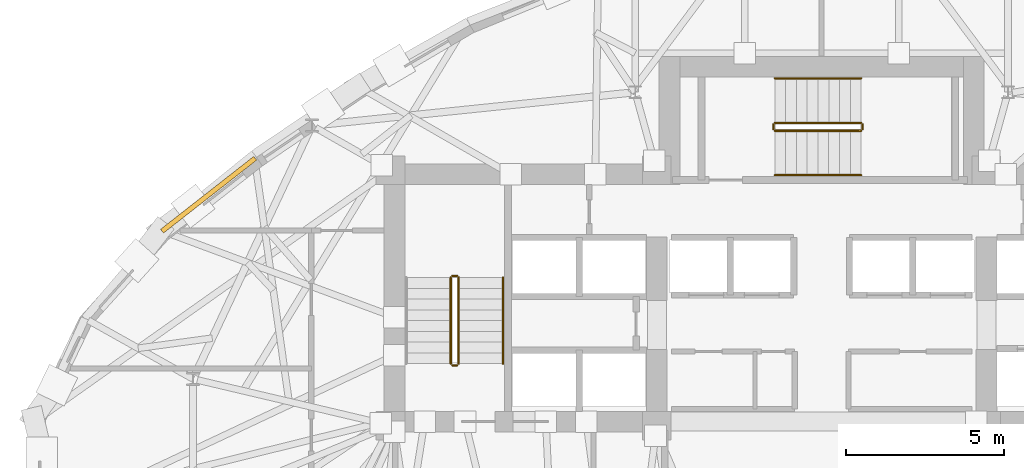
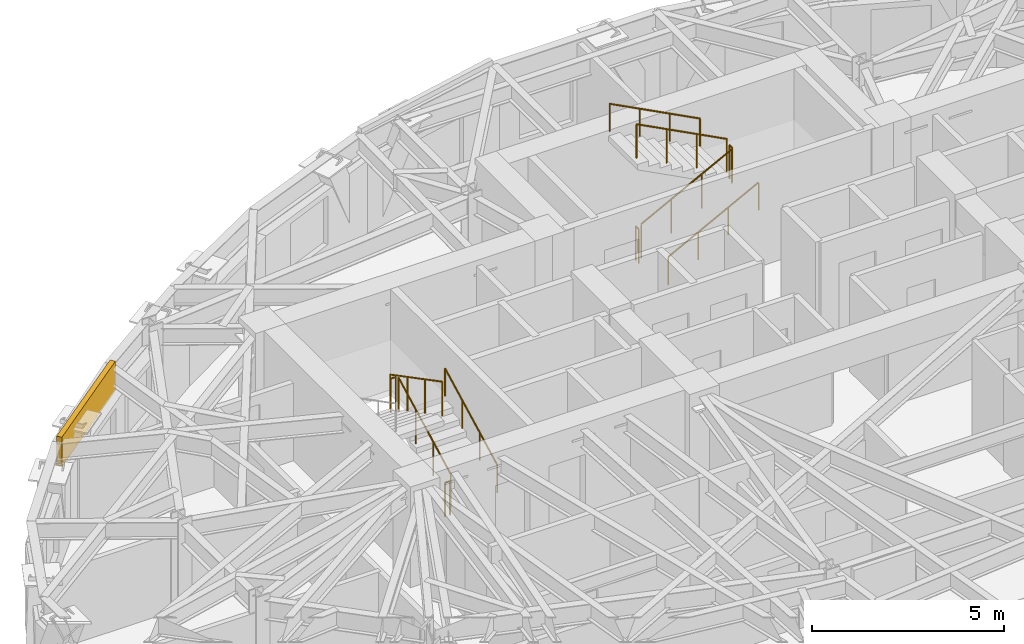
# One storey, part 12 of 14: 11 railings, 1 covering.
"""IFC4 building model written with IfcOpenShell, lengths in metres."""

import ifcopenshell
import ifcopenshell.guid

model = None  # the IFC model being written
_history = None  # IfcOwnerHistory: only IFC2X3 demands one
_inside = {}  # id of a spatial element -> (the spatial element, [elements in it])
_under = {}  # id of a project, library or spatial element -> (it, [spatial elements below it])
_declared = {}  # id of a project -> (the project, [libraries it declares])
_typed = {}  # id of a type object -> (the type object, [elements of that type])
_made_of = {}  # id of a material, layer set ... -> (it, [elements and type objects made of it])


def new_model(schema):
    """Start an empty IFC model of exactly this schema.

    Asked for "IFC4X3", IfcOpenShell would pick the latest addendum, in which some entities
    have other attributes; the version numbers below select the first issue.
    IFC2X3 requires an IfcOwnerHistory on every rooted entity: one is made here for all.
    """
    global model, _history
    if schema == "IFC4X3":
        model = ifcopenshell.file(schema_version=(4, 3, 0, 0))
    else:
        model = ifcopenshell.file(schema=schema)
    _inside.clear()
    _under.clear()
    _declared.clear()
    _typed.clear()
    _made_of.clear()
    _history = None
    if model.schema == "IFC2X3":
        org = make("IfcOrganization", Name="unknown")
        user = make(
            "IfcPersonAndOrganization",
            ThePerson=make("IfcPerson", FamilyName="unknown"),
            TheOrganization=org,
        )
        app = make(
            "IfcApplication",
            ApplicationDeveloper=org,
            Version="unknown",
            ApplicationFullName="unknown",
            ApplicationIdentifier="unknown",
        )
        _history = make(
            "IfcOwnerHistory",
            OwningUser=user,
            OwningApplication=app,
            ChangeAction="ADDED",
            CreationDate=0,
        )
    return model


def make(cls, **values):
    """One entity of the class cls with the attributes given. An attribute that is None is left unset."""
    return model.create_entity(
        cls, **{name: value for name, value in values.items() if value is not None}
    )


def rooted(cls, **values):
    """An entity with a GlobalId (a new one), such as an element, a storey or a relation."""
    return make(cls, GlobalId=ifcopenshell.guid.new(), OwnerHistory=_history, **values)


def si_unit(unit_type, name, prefix=None):
    """IfcSIUnit, for example si_unit("LENGTHUNIT", "METRE", prefix="MILLI")."""
    return make("IfcSIUnit", UnitType=unit_type, Prefix=prefix, Name=name)


def assignment(units):
    """IfcUnitAssignment: the units of a project."""
    return None if units is None else make("IfcUnitAssignment", Units=units)


def point(xyz):
    """IfcCartesianPoint."""
    return None if xyz is None else make("IfcCartesianPoint", Coordinates=xyz)


def direction(xyz):
    """IfcDirection."""
    return None if xyz is None else make("IfcDirection", DirectionRatios=xyz)


def frame(location, z_axis=None, x_axis=None):
    """IfcAxis2Placement3D, a coordinate frame: its origin and axes. An axis left out is left unset."""
    return make(
        "IfcAxis2Placement3D",
        Location=point(location),
        Axis=direction(z_axis),
        RefDirection=direction(x_axis),
    )


def frame_2d(location, x_axis=None):
    """IfcAxis2Placement2D, a coordinate frame in the plane: its origin and x axis."""
    return make(
        "IfcAxis2Placement2D", Location=point(location), RefDirection=direction(x_axis)
    )


def origin():
    """The frame at (0, 0, 0) with its axes left unset."""
    return frame((0.0, 0.0, 0.0))


def origin_2d():
    """The frame at (0, 0) in the plane with its x axis left unset."""
    return frame_2d((0.0, 0.0))


def place(relative_to, where):
    """IfcLocalPlacement: puts the frame where relative to a parent placement (None: the world)."""
    return make(
        "IfcLocalPlacement", PlacementRelTo=relative_to, RelativePlacement=where
    )


def context(
    kind, dimensions, precision=None, world=None, true_north=None, identifier=None
):
    """IfcGeometricRepresentationContext, for example the 3D "Model" context."""
    return make(
        "IfcGeometricRepresentationContext",
        ContextIdentifier=identifier,
        ContextType=kind,
        CoordinateSpaceDimension=dimensions,
        Precision=precision,
        WorldCoordinateSystem=world,
        TrueNorth=true_north,
    )


def subcontext(parent, identifier, kind, view, scale=None):
    """IfcGeometricRepresentationSubContext, for example "Body" below "Model"."""
    return make(
        "IfcGeometricRepresentationSubContext",
        ContextIdentifier=identifier,
        ContextType=kind,
        ParentContext=parent,
        TargetScale=scale,
        TargetView=view,
    )


def project(units=None, contexts=None):
    """IfcProject with its units and contexts."""
    return rooted(
        "IfcProject",
        Name="project",
        RepresentationContexts=contexts,
        UnitsInContext=assignment(units),
    )


def spatial(cls, under=None, at=None, **own):
    """A site, building, storey or space (cls), placed at a placement, below another one or the project."""
    s = rooted(cls, ObjectPlacement=at, **own)
    if under is not None:
        _under.setdefault(under.id(), (under, []))[1].append(s)
    return s


def profile(cls, at=None, kind="AREA", **sizes):
    """A parametric profile (cls). Its sizes go by their IFC names, for example OverallWidth=200.0."""
    return make(cls, ProfileType=kind, Position=at, **sizes)


def rectangle(**sizes):
    """IfcRectangleProfileDef."""
    return profile("IfcRectangleProfileDef", **sizes)


def circle(**sizes):
    """IfcCircleProfileDef."""
    return profile("IfcCircleProfileDef", **sizes)


def extrude(swept, where, along, depth):
    """IfcExtrudedAreaSolid: the profile swept, set in the frame where, extruded along a direction by depth."""
    return make(
        "IfcExtrudedAreaSolid",
        SweptArea=swept,
        Position=where,
        ExtrudedDirection=direction(along),
        Depth=depth,
    )


def shape(context_of_items, identifier, shape_type, items):
    """IfcShapeRepresentation: the items that make up one representation, for example the "Body"."""
    return make(
        "IfcShapeRepresentation",
        ContextOfItems=context_of_items,
        RepresentationIdentifier=identifier,
        RepresentationType=shape_type,
        Items=items,
    )


def material(Name=None, Category=None):
    """IfcMaterial."""
    return make("IfcMaterial", Name=Name, Category=Category)


def layer(
    of_material, thickness, ventilated=None, Name=None, Category=None, Priority=None
):
    """IfcMaterialLayer: one layer of a wall or slab, of a material (None: an air gap)."""
    return make(
        "IfcMaterialLayer",
        Material=of_material,
        LayerThickness=thickness,
        IsVentilated=ventilated,
        Name=Name,
        Category=Category,
        Priority=Priority,
    )


def layer_set(layers, Name=None):
    """IfcMaterialLayerSet."""
    return make("IfcMaterialLayerSet", MaterialLayers=layers, LayerSetName=Name)


def made_of(thing, what):
    """Note that an element or type object is made of a material, layer set ...; save() writes the relation."""
    if what is not None:
        _made_of.setdefault(what.id(), (what, []))[1].append(thing)
    return thing


def type_object(cls, material=None, **own):
    """A type object (cls), such as IfcWallType, which elements share."""
    return made_of(rooted(cls, **own), material)


def element(
    cls,
    number,
    at=None,
    inside=None,
    cuts=None,
    type_object=None,
    material=None,
    context=None,
    identifier="Body",
    shape_type=None,
    held_by="IfcProductDefinitionShape",
    body=None,
    shapes=None,
    **own,
):
    """One element of the class cls, such as IfcWall. Its Tag is "e" and its number.

    at: its placement. inside: the storey or other place that contains it. cuts: it is an
    opening in that element (IfcRelVoidsElement). A single representation is given by context,
    identifier, shape_type and body (its items); several are given by shapes. held_by: the class
    of the entity that holds the representations. save() writes the other relations.
    """
    e = rooted(cls, Tag="e%d" % number, ObjectPlacement=at, **own)
    if body is not None:
        shapes = [shape(context, identifier, shape_type, body)]
    if shapes is not None:
        e.Representation = make(held_by, Representations=shapes)
    if inside is not None:
        _inside.setdefault(inside.id(), (inside, []))[1].append(e)
    if cuts is not None:
        rooted(
            "IfcRelVoidsElement", RelatingBuildingElement=cuts, RelatedOpeningElement=e
        )
    if type_object is not None:
        _typed.setdefault(type_object.id(), (type_object, []))[1].append(e)
    return made_of(e, material)


def aggregate(whole, parts):
    """IfcRelAggregates: a whole, such as a stair, and the parts it consists of."""
    return rooted("IfcRelAggregates", RelatingObject=whole, RelatedObjects=parts)


def save(model, path):
    """Write the relations noted so far, then the file.

    IfcRelAggregates (storeys below a building ...), IfcRelContainedInSpatialStructure (elements
    in a storey), IfcRelDefinesByType, IfcRelAssociatesMaterial and IfcRelDeclares: one each for
    every whole, place, type object, material and project.
    """
    for whole, parts in _under.values():
        aggregate(whole, parts)
    for where, things in _inside.values():
        rooted(
            "IfcRelContainedInSpatialStructure",
            RelatedElements=things,
            RelatingStructure=where,
        )
    for kind, things in _typed.values():
        rooted("IfcRelDefinesByType", RelatedObjects=things, RelatingType=kind)
    for what, things in _made_of.values():
        rooted("IfcRelAssociatesMaterial", RelatedObjects=things, RelatingMaterial=what)
    for by, libraries in _declared.values():
        rooted("IfcRelDeclares", RelatingContext=by, RelatedDefinitions=libraries)
    model.write(path)


model = new_model("IFC4")

# Units and contexts
model_context = context("Model", 3, precision=1e-05, world=origin(), true_north=direction((0.0, 1.0)))
body_context = subcontext(model_context, "Body", "Model", "MODEL_VIEW")
ifc_project = project(units=[si_unit("LENGTHUNIT", "METRE"), si_unit("AREAUNIT", "SQUARE_METRE"), si_unit("VOLUMEUNIT", "CUBIC_METRE"), si_unit("PLANEANGLEUNIT", "RADIAN"), si_unit("MASSUNIT", "GRAM", prefix="KILO")], contexts=[model_context])

# Site, building, storey
site_placement = place(None, origin())
site = spatial("IfcSite", under=ifc_project, at=site_placement, CompositionType="ELEMENT")
building_placement = place(site_placement, origin())
building = spatial("IfcBuilding", under=site, at=building_placement, Name="Keldmark Tower", CompositionType="ELEMENT")
storey_placement = place(building_placement, frame((0.0, 0.0, 185.39990234375)))
storey = spatial("IfcBuildingStorey", under=building, at=storey_placement, Name="L51", CompositionType="ELEMENT", Elevation=185.39990234375)

# Covering
ifc_material_1 = material(Name="Honed Kasota Buff Dolomitic Limestone", Category="masonry")
ifc_layer = layer(ifc_material_1, 0.074951171875)
ifc_layer_set = layer_set([ifc_layer], Name="Honed Kasota Buff Dolomitic Limestone")
covering_type = type_object("IfcCoveringType", Name="Kasota Buff Limestone Spandrel Cladding Band", PredefinedType="CLADDING", material=ifc_layer_set)
covering_placement = place(storey_placement, frame((-19.339111328125, 8.68115234375, 2.2392578125), z_axis=(0.0, 0.0, 1.0), x_axis=(-0.787537727221, -0.616266442543, 0.0)))
element("IfcCovering", 1, at=covering_placement, inside=storey, type_object=covering_type, Name="L51 Kasota Limestone Spandrel Band 13", PredefinedType="CLADDING", context=body_context, shape_type="SweptSolid", body=[
    extrude(rectangle(XDim=3.7294921875, YDim=0.14990234375, at=origin_2d()), origin(), (0.0, 0.0, 1.0), 0.94091796875),
])

# Railings
ifc_material_2 = material(Name="Painted Steel ASTM A500 Grade B", Category="steel")
railing_type_1 = type_object("IfcRailingType", Name="Painted Steel Stair Well Guard 1100 mm", PredefinedType="GUARDRAIL", material=ifc_material_2)
railing_1_placement = place(storey_placement, frame((-11.449951171875, 3.35009765625, 0.177978515625)))
element("IfcRailing", 2, at=railing_1_placement, inside=storey, type_object=railing_type_1, Name="L51 ST1 stair guard 1", PredefinedType="GUARDRAIL", context=body_context, shape_type="SweptSolid", body=[
    extrude(circle(Radius=0.02392578125, at=origin_2d()), frame((0.0, 0.0, 1.076171875), z_axis=(0.0, 0.886183135912, 0.463335137482), x_axis=(-1.0, 0.0, 0.0)), (0.0, 0.0, 1.0), 3.0693359375),
    extrude(circle(Radius=0.02099609375, at=origin_2d()), origin(), (0.0, 0.0, 1.0), 1.052001953125),
    extrude(circle(Radius=0.02099609375, at=origin_2d()), frame((0.0, 0.90673828125, 0.47412109375)), (0.0, 0.0, 1.0), 1.052001953125),
    extrude(circle(Radius=0.02099609375, at=origin_2d()), frame((0.0, 1.813232421875, 0.947998046875)), (0.0, 0.0, 1.0), 1.052001953125),
    extrude(circle(Radius=0.02099609375, at=origin_2d()), frame((0.0, 2.719970703125, 1.422119140625)), (0.0, 0.0, 1.0), 1.052001953125),
])
railing_2_placement = place(storey_placement, frame((-11.5, 6.1201171875, 1.60009765625)))
element("IfcRailing", 3, at=railing_2_placement, inside=storey, type_object=railing_type_1, Name="L51 ST1 stair guard 2", PredefinedType="GUARDRAIL", context=body_context, shape_type="SweptSolid", body=[
    extrude(circle(Radius=0.02392578125, at=origin_2d()), frame((0.0, 0.0, 1.076171875), z_axis=(-1.0, 0.0, 0.0), x_axis=(0.0, -1.0, 0.0)), (0.0, 0.0, 1.0), 0.14990234375),
    extrude(circle(Radius=0.02099609375, at=origin_2d()), origin(), (0.0, 0.0, 1.0), 1.052001953125),
    extrude(circle(Radius=0.02099609375, at=origin_2d()), frame((-0.14990234375, 0.0, 0.0)), (0.0, 0.0, 1.0), 1.052001953125),
])
railing_3_placement = place(storey_placement, frame((-11.699951171875, 6.070068359375, 1.77783203125)))
element("IfcRailing", 4, at=railing_3_placement, inside=storey, type_object=railing_type_1, Name="L51 ST1 stair guard 3", PredefinedType="GUARDRAIL", context=body_context, shape_type="SweptSolid", body=[
    extrude(circle(Radius=0.02392578125, at=origin_2d()), frame((0.0, 0.0, 1.076171875), z_axis=(0.0, -0.886150474775, 0.463397600399), x_axis=(1.0, 0.0, 0.0)), (0.0, 0.0, 1.0), 3.0693359375),
    extrude(circle(Radius=0.02099609375, at=origin_2d()), origin(), (0.0, 0.0, 1.0), 1.052001953125),
    extrude(circle(Radius=0.02099609375, at=origin_2d()), frame((0.0, -0.90673828125, 0.47412109375)), (0.0, 0.0, 1.0), 1.052001953125),
    extrude(circle(Radius=0.02099609375, at=origin_2d()), frame((0.0, -1.813232421875, 0.9482421875)), (0.0, 0.0, 1.0), 1.052001953125),
    extrude(circle(Radius=0.02099609375, at=origin_2d()), frame((0.0, -2.719970703125, 1.42236328125)), (0.0, 0.0, 1.0), 1.052001953125),
])
railing_4_placement = place(storey_placement, frame((-11.5, 3.300048828125, 0.0)))
element("IfcRailing", 5, at=railing_4_placement, inside=storey, type_object=railing_type_1, Name="L51 ST1 stair guard 4", PredefinedType="GUARDRAIL", context=body_context, shape_type="SweptSolid", body=[
    extrude(circle(Radius=0.02392578125, at=origin_2d()), frame((0.0, 0.0, 1.076171875), z_axis=(-1.0, 0.0, 0.0), x_axis=(0.0, -1.0, 0.0)), (0.0, 0.0, 1.0), 0.14990234375),
    extrude(circle(Radius=0.02099609375, at=origin_2d()), origin(), (0.0, 0.0, 1.0), 1.052001953125),
    extrude(circle(Radius=0.02099609375, at=origin_2d()), frame((-0.14990234375, 0.0, 0.0)), (0.0, 0.0, 1.0), 1.052001953125),
])
railing_5_placement = place(storey_placement, frame((-1.47509765625, 10.699951171875, 0.177978515625)))
element("IfcRailing", 6, at=railing_5_placement, inside=storey, type_object=railing_type_1, Name="L51 ST3 stair guard 1", PredefinedType="GUARDRAIL", context=body_context, shape_type="SweptSolid", body=[
    extrude(circle(Radius=0.02392578125, at=origin_2d()), frame((0.0, 0.0, 1.076171875), z_axis=(0.886200210249, 0.0, 0.463302479331), x_axis=(0.0, 1.0, 0.0)), (0.0, 0.0, 1.0), 3.069580078125),
    extrude(circle(Radius=0.02099609375, at=origin_2d()), origin(), (0.0, 0.0, 1.0), 1.052001953125),
    extrude(circle(Radius=0.02099609375, at=origin_2d()), frame((0.90673828125, 0.0, 0.47412109375)), (0.0, 0.0, 1.0), 1.052001953125),
    extrude(circle(Radius=0.02099609375, at=origin_2d()), frame((1.8134765625, 0.0, 0.947998046875)), (0.0, 0.0, 1.0), 1.052001953125),
    extrude(circle(Radius=0.02099609375, at=origin_2d()), frame((2.72021484375, 0.0, 1.422119140625)), (0.0, 0.0, 1.0), 1.052001953125),
])
railing_6_placement = place(storey_placement, frame((1.294921875, 10.75, 1.60009765625)))
element("IfcRailing", 7, at=railing_6_placement, inside=storey, type_object=railing_type_1, Name="L51 ST3 stair guard 2", PredefinedType="GUARDRAIL", context=body_context, shape_type="SweptSolid", body=[
    extrude(circle(Radius=0.02392578125, at=origin_2d()), frame((0.0, 0.0, 1.076171875), z_axis=(0.0, 1.0, 0.0), x_axis=(-1.0, 0.0, 0.0)), (0.0, 0.0, 1.0), 0.14990234375),
    extrude(circle(Radius=0.02099609375, at=origin_2d()), origin(), (0.0, 0.0, 1.0), 1.052001953125),
    extrude(circle(Radius=0.02099609375, at=origin_2d()), frame((0.0, 0.14990234375, 0.0)), (0.0, 0.0, 1.0), 1.052001953125),
])
railing_7_placement = place(storey_placement, frame((1.2451171875, 10.949951171875, 1.77783203125)))
element("IfcRailing", 8, at=railing_7_placement, inside=storey, type_object=railing_type_1, Name="L51 ST3 stair guard 3", PredefinedType="GUARDRAIL", context=body_context, shape_type="SweptSolid", body=[
    extrude(circle(Radius=0.02392578125, at=origin_2d()), frame((0.0, 0.0, 1.076171875), z_axis=(-0.886167553088, 0.0, 0.463364940252), x_axis=(0.0, -1.0, 0.0)), (0.0, 0.0, 1.0), 3.069580078125),
    extrude(circle(Radius=0.02099609375, at=origin_2d()), origin(), (0.0, 0.0, 1.0), 1.052001953125),
    extrude(circle(Radius=0.02099609375, at=origin_2d()), frame((-0.90673828125, 0.0, 0.47412109375)), (0.0, 0.0, 1.0), 1.052001953125),
    extrude(circle(Radius=0.02099609375, at=origin_2d()), frame((-1.8134765625, 0.0, 0.9482421875)), (0.0, 0.0, 1.0), 1.052001953125),
    extrude(circle(Radius=0.02099609375, at=origin_2d()), frame((-2.72021484375, 0.0, 1.42236328125)), (0.0, 0.0, 1.0), 1.052001953125),
])
railing_8_placement = place(storey_placement, frame((-1.52490234375, 10.75, 0.0)))
element("IfcRailing", 9, at=railing_8_placement, inside=storey, type_object=railing_type_1, Name="L51 ST3 stair guard 4", PredefinedType="GUARDRAIL", context=body_context, shape_type="SweptSolid", body=[
    extrude(circle(Radius=0.02392578125, at=origin_2d()), frame((0.0, 0.0, 1.076171875), z_axis=(0.0, 1.0, 0.0), x_axis=(-1.0, 0.0, 0.0)), (0.0, 0.0, 1.0), 0.14990234375),
    extrude(circle(Radius=0.02099609375, at=origin_2d()), origin(), (0.0, 0.0, 1.0), 1.052001953125),
    extrude(circle(Radius=0.02099609375, at=origin_2d()), frame((0.0, 0.14990234375, 0.0)), (0.0, 0.0, 1.0), 1.052001953125),
])
ifc_material_3 = material(Name="Stainless Steel AISI 316L", Category="steel")
railing_type_2 = type_object("IfcRailingType", Name="Stainless Steel Stair Handrail 900 mm", PredefinedType="HANDRAIL", material=ifc_material_3)
railing_9_placement = place(storey_placement, frame((-10.050048828125, 3.35009765625, 0.177978515625)))
element("IfcRailing", 10, at=railing_9_placement, inside=storey, type_object=railing_type_2, Name="L51 ST1 stair handrail 1", PredefinedType="HANDRAIL", context=body_context, shape_type="SweptSolid", body=[
    extrude(circle(Radius=0.02392578125, at=origin_2d()), frame((0.0, 0.0, 0.8759765625), z_axis=(0.0, 0.886183135912, 0.463335137482), x_axis=(-1.0, 0.0, 0.0)), (0.0, 0.0, 1.0), 3.0693359375),
    extrude(circle(Radius=0.02099609375, at=origin_2d()), origin(), (0.0, 0.0, 1.0), 0.851806640625),
    extrude(circle(Radius=0.02099609375, at=origin_2d()), frame((0.0, 0.90673828125, 0.47412109375)), (0.0, 0.0, 1.0), 0.851806640625),
    extrude(circle(Radius=0.02099609375, at=origin_2d()), frame((0.0, 1.813232421875, 0.947998046875)), (0.0, 0.0, 1.0), 0.851806640625),
    extrude(circle(Radius=0.02099609375, at=origin_2d()), frame((0.0, 2.719970703125, 1.422119140625)), (0.0, 0.0, 1.0), 0.851806640625),
])
railing_10_placement = place(storey_placement, frame((-1.47509765625, 9.300048828125, 0.177978515625)))
element("IfcRailing", 11, at=railing_10_placement, inside=storey, type_object=railing_type_2, Name="L51 ST3 stair handrail 1", PredefinedType="HANDRAIL", context=body_context, shape_type="SweptSolid", body=[
    extrude(circle(Radius=0.02392578125, at=origin_2d()), frame((0.0, 0.0, 0.8759765625), z_axis=(0.886200210249, 0.0, 0.463302479331), x_axis=(0.0, 1.0, 0.0)), (0.0, 0.0, 1.0), 3.069580078125),
    extrude(circle(Radius=0.02099609375, at=origin_2d()), origin(), (0.0, 0.0, 1.0), 0.851806640625),
    extrude(circle(Radius=0.02099609375, at=origin_2d()), frame((0.90673828125, 0.0, 0.47412109375)), (0.0, 0.0, 1.0), 0.851806640625),
    extrude(circle(Radius=0.02099609375, at=origin_2d()), frame((1.8134765625, 0.0, 0.947998046875)), (0.0, 0.0, 1.0), 0.851806640625),
    extrude(circle(Radius=0.02099609375, at=origin_2d()), frame((2.72021484375, 0.0, 1.422119140625)), (0.0, 0.0, 1.0), 0.851806640625),
])
railing_11_placement = place(storey_placement, frame((1.2451171875, 12.35009765625, 1.77783203125)))
element("IfcRailing", 12, at=railing_11_placement, inside=storey, type_object=railing_type_2, Name="L51 ST3 stair handrail 2", PredefinedType="HANDRAIL", context=body_context, shape_type="SweptSolid", body=[
    extrude(circle(Radius=0.02392578125, at=origin_2d()), frame((0.0, 0.0, 0.8759765625), z_axis=(-0.886167553088, 0.0, 0.463364940252), x_axis=(0.0, -1.0, 0.0)), (0.0, 0.0, 1.0), 3.069580078125),
    extrude(circle(Radius=0.02099609375, at=origin_2d()), origin(), (0.0, 0.0, 1.0), 0.851806640625),
    extrude(circle(Radius=0.02099609375, at=origin_2d()), frame((-0.90673828125, 0.0, 0.47412109375)), (0.0, 0.0, 1.0), 0.851806640625),
    extrude(circle(Radius=0.02099609375, at=origin_2d()), frame((-1.8134765625, 0.0, 0.9482421875)), (0.0, 0.0, 1.0), 0.851806640625),
    extrude(circle(Radius=0.02099609375, at=origin_2d()), frame((-2.72021484375, 0.0, 1.42236328125)), (0.0, 0.0, 1.0), 0.851806640625),
])

save(model, "model.ifc")
